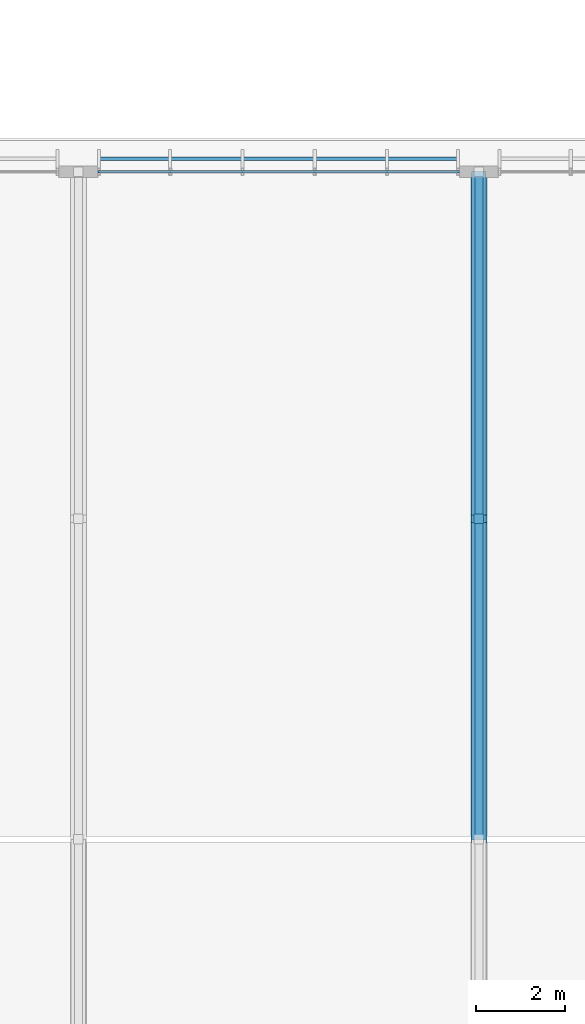
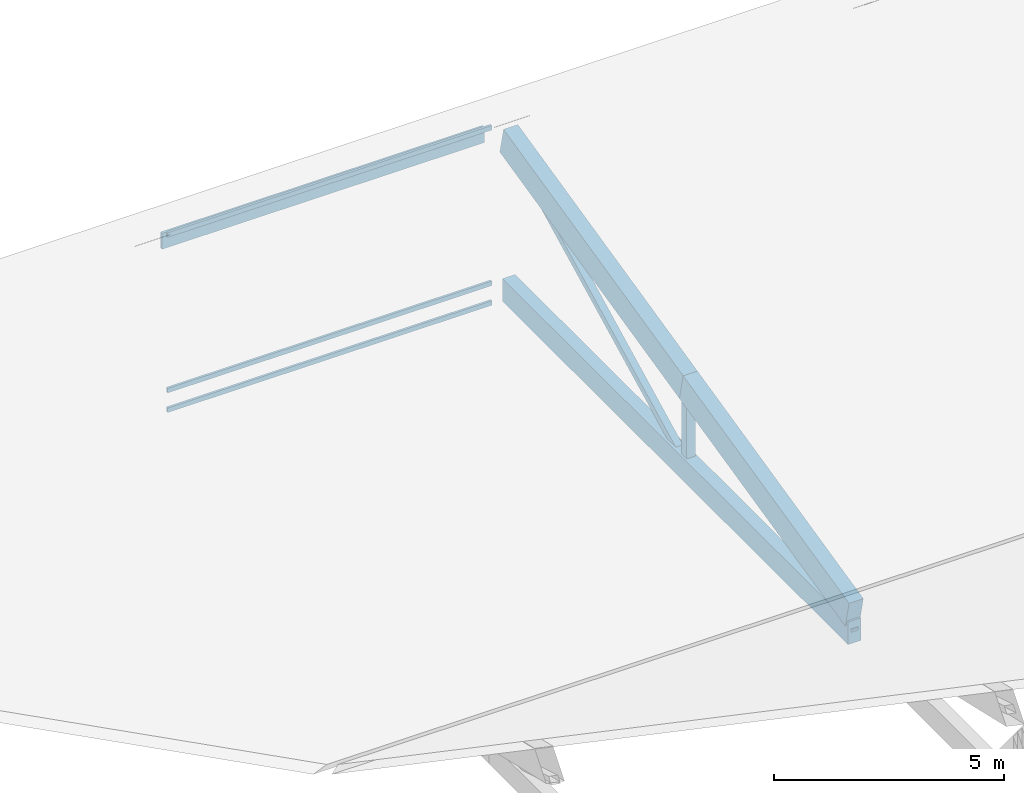
# One storey, part 60 of 182: 10 members, 1 element without a shape of its own.
"""IFC4 building model written with IfcOpenShell, lengths in metres."""

from ifc_helpers import new_model, si_unit, direction, frame, origin, origin_2d, place, context, subcontext, project, spatial, rectangle, hollow_rectangle, extrude, material, material_profile, profile_set, type_object, element, aggregate, save


model = new_model("IFC4")

# Units and contexts
model_context = context("Model", 3, precision=1e-05, world=origin(), true_north=direction((0.0, 1.0)))
body_context = subcontext(model_context, "Body", "Model", "MODEL_VIEW")
ifc_project = project(units=[si_unit("LENGTHUNIT", "METRE"), si_unit("AREAUNIT", "SQUARE_METRE"), si_unit("VOLUMEUNIT", "CUBIC_METRE"), si_unit("PLANEANGLEUNIT", "RADIAN"), si_unit("MASSUNIT", "GRAM", prefix="KILO")], contexts=[model_context])

# Site, building, storey
site_placement = place(None, origin())
site = spatial("IfcSite", under=ifc_project, at=site_placement, CompositionType="ELEMENT")
building_placement = place(site_placement, origin())
building = spatial("IfcBuilding", under=site, at=building_placement, Name="Chiffa Square Polytechnic", CompositionType="ELEMENT")
storey_placement = place(building_placement, frame((0.0, 0.0, 9.60009765625)))
storey = spatial("IfcBuildingStorey", under=building, at=storey_placement, Name="L02", CompositionType="ELEMENT", Elevation=9.60009765625)

# Curtain wall, members
ifc_material_1 = material(Name="Aluminium EN AW-6060 T66 and glulam shading", Category="wood")
curtain_wall_type = type_object("IfcCurtainWallType", Name="CW-VERT-360X380", PredefinedType="USERDEFINED", material=ifc_material_1)
curtain_wall_placement = place(storey_placement, origin())
curtain_wall = element("IfcCurtainWall", 1, at=curtain_wall_placement, inside=storey, type_object=curtain_wall_type, Name="Curtain wall CW-V4-CLRN-04", ObjectType="CURTAIN WALL", PredefinedType="USERDEFINED")
ifc_material_2 = material(Name="Aluminium EN AW-6060 T66", Category="aluminium")
ifc_material_profile_1 = material_profile(ifc_material_2, hollow_rectangle(XDim=0.06005859375, YDim=0.1201171875, WallThickness=0.00390625, at=origin_2d()), Name="ALU 60x120x4")
ifc_profile_set_1 = profile_set([ifc_material_profile_1], Name="Aluminium EN AW-6060 T66")
member_type_1 = type_object("IfcMemberType", Name="CWT-ALU-65X120", PredefinedType="USERDEFINED", material=ifc_profile_set_1)
member_1_placement = place(storey_placement, frame((84.162109375, 43.800048828125, 0.06982421875), z_axis=(-1.0, 0.0, 0.0), x_axis=(0.0, -1.0, 0.0)))
member_1 = element("IfcMember", 2, at=member_1_placement, type_object=member_type_1, Name="Curtain wall transom CW-V4-CLRN-04-T01", ObjectType="TRANSOM", PredefinedType="USERDEFINED", context=body_context, shape_type="SweptSolid", body=[
    extrude(hollow_rectangle(XDim=0.06005859375, YDim=0.1201171875, WallThickness=0.00390625, at=origin_2d()), origin(), (0.0, 0.0, 1.0), 8.1240234375),
])
member_2_placement = place(storey_placement, frame((84.162109375, 43.800048828125, 0.58984375), z_axis=(-1.0, 0.0, 0.0), x_axis=(0.0, -1.0, 0.0)))
member_2 = element("IfcMember", 3, at=member_2_placement, type_object=member_type_1, Name="Curtain wall transom CW-V4-CLRN-04-T02", ObjectType="TRANSOM", PredefinedType="USERDEFINED", context=body_context, shape_type="SweptSolid", body=[
    extrude(hollow_rectangle(XDim=0.06005859375, YDim=0.1201171875, WallThickness=0.00390625, at=origin_2d()), origin(), (0.0, 0.0, 1.0), 8.1240234375),
])
member_3_placement = place(storey_placement, frame((84.162109375, 43.800048828125, 4.712890625), z_axis=(-1.0, 0.0, 0.0), x_axis=(0.0, -1.0, 0.0)))
member_3 = element("IfcMember", 4, at=member_3_placement, type_object=member_type_1, Name="Curtain wall transom CW-V4-CLRN-04-T03", ObjectType="TRANSOM", PredefinedType="USERDEFINED", context=body_context, shape_type="SweptSolid", body=[
    extrude(hollow_rectangle(XDim=0.06005859375, YDim=0.1201171875, WallThickness=0.00390625, at=origin_2d()), origin(), (0.0, 0.0, 1.0), 8.1240234375),
])
ifc_material_3 = material(Name="Glulam GL28h", Category="wood")
ifc_material_profile_2 = material_profile(ifc_material_3, rectangle(XDim=0.070068359375, YDim=0.419921875, at=origin_2d()), Name="GL28h 70x420")
ifc_profile_set_2 = profile_set([ifc_material_profile_2], Name="Glulam GL28h")
member_type_2 = type_object("IfcMemberType", Name="CWT-GL-70X420", PredefinedType="USERDEFINED", material=ifc_profile_set_2)
member_4_placement = place(storey_placement, frame((84.135009765625, 44.092041015625, 4.36279296875), z_axis=(-1.0, 0.0, 0.0), x_axis=(0.0, -1.0, 0.0)))
member_4 = element("IfcMember", 5, at=member_4_placement, type_object=member_type_2, Name="Exterior glulam brise-soleil CW-V4-CLRN-04-BS01", ObjectType="TRANSOM", PredefinedType="USERDEFINED", context=body_context, shape_type="SweptSolid", body=[
    extrude(rectangle(XDim=0.070068359375, YDim=0.419921875, at=origin_2d()), origin(), (0.0, 0.0, 1.0), 8.070068359375),
])
aggregate(curtain_wall, [member_1, member_2, member_3, member_4])

# Members
ifc_material_4 = material(Name="Glulam GL32c", Category="wood")
ifc_material_profile_3 = material_profile(ifc_material_4, rectangle(XDim=0.320068359375, YDim=0.60009765625, at=origin_2d()), Name="GL32c 320x600")
ifc_profile_set_3 = profile_set([ifc_material_profile_3], Name="Glulam GL32c")
member_type_3 = type_object("IfcMemberType", Name="MEM-CHORD-GL320", PredefinedType="CHORD", material=ifc_profile_set_3)
member_5_placement = place(storey_placement, frame((84.60009765625, 28.800048828125, 0.2998046875), z_axis=(0.0, 1.0, 0.0), x_axis=(-1.0, 0.0, 0.0)))
element("IfcMember", 6, at=member_5_placement, inside=storey, type_object=member_type_3, Name="Refectory butterfly bottom chord TCB-V4-N05", PredefinedType="CHORD", context=body_context, shape_type="SweptSolid", body=[
    extrude(rectangle(XDim=0.320068359375, YDim=0.60009765625, at=origin_2d()), origin(), (0.0, 0.0, 1.0), 15.0),
])
ifc_material_profile_4 = material_profile(ifc_material_4, rectangle(XDim=0.360107421875, YDim=0.719970703125, at=origin_2d()), Name="GL32c 360x720")
ifc_profile_set_4 = profile_set([ifc_material_profile_4], Name="Glulam GL32c")
member_type_4 = type_object("IfcMemberType", Name="MEM-CHORD-GL360", PredefinedType="CHORD", material=ifc_profile_set_4)
member_6_placement = place(storey_placement, frame((84.60009765625, 28.800048828125, 0.7998046875), z_axis=(0.0, 0.974373930506, 0.224934309412), x_axis=(-1.0, 0.0, 0.0)))
element("IfcMember", 7, at=member_6_placement, inside=storey, type_object=member_type_4, Name="Refectory butterfly top chord TCT-V4-N05-1", PredefinedType="CHORD", context=body_context, shape_type="SweptSolid", body=[
    extrude(rectangle(XDim=0.360107421875, YDim=0.719970703125, at=origin_2d()), origin(), (0.0, 0.0, 1.0), 7.389404296875),
])
member_7_placement = place(storey_placement, frame((84.60009765625, 36.0, 2.4619140625), z_axis=(0.0, 0.974363432154, 0.224979781495), x_axis=(-1.0, 0.0, 0.0)))
element("IfcMember", 8, at=member_7_placement, inside=storey, type_object=member_type_4, Name="Refectory butterfly top chord TCT-V4-N05-2", PredefinedType="CHORD", context=body_context, shape_type="SweptSolid", body=[
    extrude(rectangle(XDim=0.360107421875, YDim=0.719970703125, at=origin_2d()), origin(), (0.0, 0.0, 1.0), 8.00537109375),
])
ifc_material_profile_5 = material_profile(ifc_material_3, rectangle(XDim=0.179931640625, YDim=0.179931640625, at=origin_2d()), Name="GL28h 180x180")
ifc_profile_set_5 = profile_set([ifc_material_profile_5], Name="Glulam GL28h")
member_type_5 = type_object("IfcMemberType", Name="MEM-WEB-GL180", PredefinedType="MEMBER", material=ifc_profile_set_5)
member_8_placement = place(storey_placement, frame((84.60009765625, 28.800048828125, 0.2998046875), z_axis=(0.0, 0.957748486613, 0.287607086821), x_axis=(-1.0, 0.0, 0.0)))
element("IfcMember", 9, at=member_8_placement, inside=storey, type_object=member_type_5, Name="Refectory butterfly diagonal TWD-V4-N05-1", PredefinedType="MEMBER", context=body_context, shape_type="SweptSolid", body=[
    extrude(rectangle(XDim=0.179931640625, YDim=0.179931640625, at=origin_2d()), origin(), (0.0, 0.0, 1.0), 7.517578125),
])
member_9_placement = place(storey_placement, frame((84.60009765625, 36.0, 0.2998046875), z_axis=(0.0, 0.891523242237, 0.452974953558), x_axis=(-1.0, 0.0, 0.0)))
element("IfcMember", 10, at=member_9_placement, inside=storey, type_object=member_type_5, Name="Refectory butterfly diagonal TWD-V4-N05-2", PredefinedType="MEMBER", context=body_context, shape_type="SweptSolid", body=[
    extrude(rectangle(XDim=0.179931640625, YDim=0.179931640625, at=origin_2d()), origin(), (0.0, 0.0, 1.0), 8.7490234375),
])
ifc_material_profile_6 = material_profile(ifc_material_3, rectangle(XDim=0.219970703125, YDim=0.219970703125, at=origin_2d()), Name="GL28h 220x220")
ifc_profile_set_6 = profile_set([ifc_material_profile_6], Name="Glulam GL28h")
member_type_6 = type_object("IfcMemberType", Name="MEM-WEB-GL220", PredefinedType="MEMBER", material=ifc_profile_set_6)
member_10_placement = place(storey_placement, frame((84.60009765625, 36.0, 0.2998046875), z_axis=(0.0, 0.0, 1.0), x_axis=(1.0, 0.0, 0.0)))
element("IfcMember", 11, at=member_10_placement, inside=storey, type_object=member_type_6, Name="Refectory butterfly mid vertical TWV-V4-N05-M", PredefinedType="MEMBER", context=body_context, shape_type="SweptSolid", body=[
    extrude(rectangle(XDim=0.219970703125, YDim=0.219970703125, at=origin_2d()), origin(), (0.0, 0.0, 1.0), 2.162109375),
])

save(model, "model.ifc")
